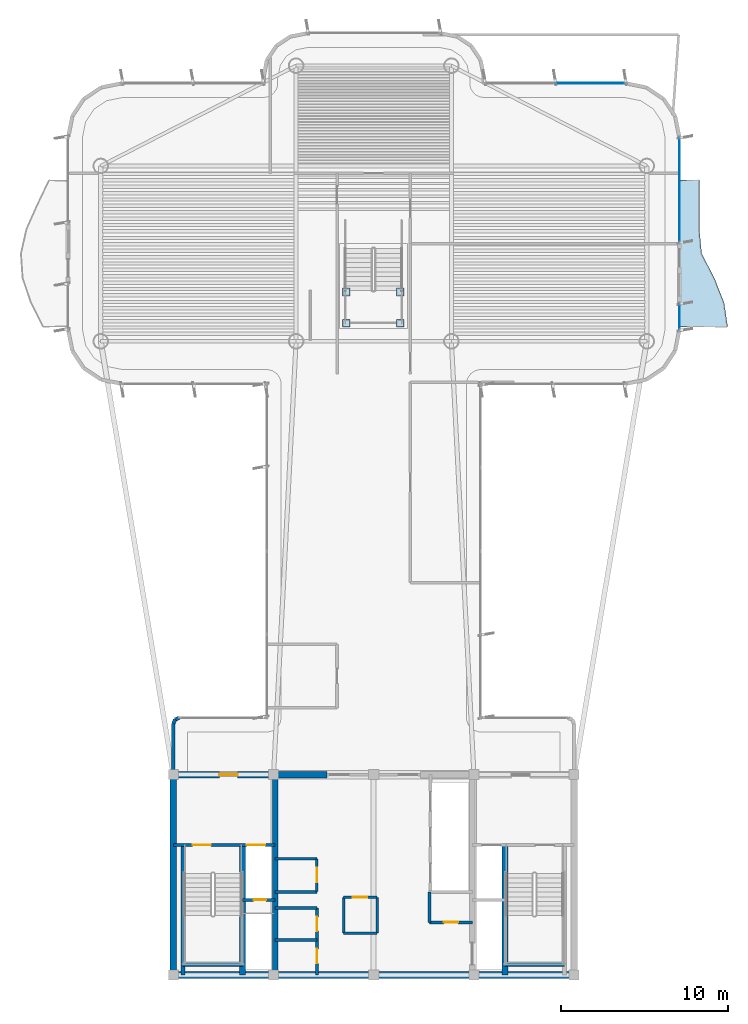
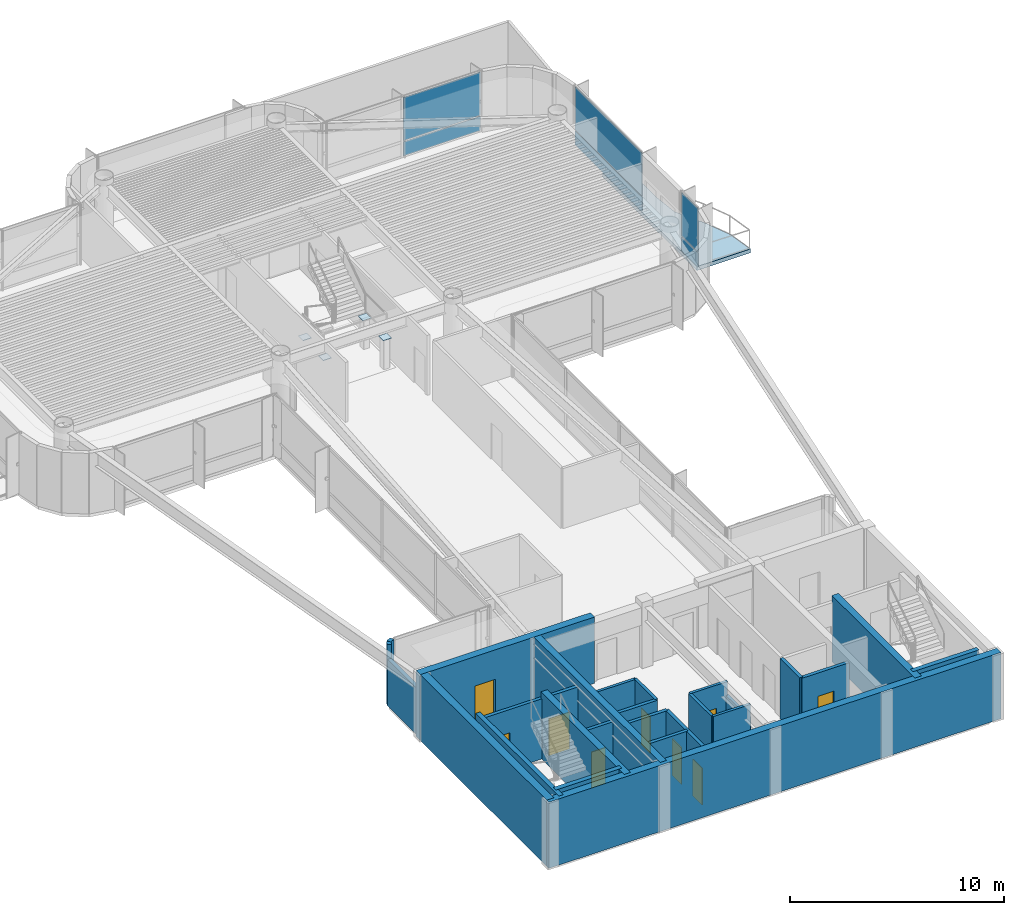
# One storey, part 10 of 17: 26 walls, 10 plates, 9 doors, 1 slab, 9 openings, 3 elements without a shape of their own.
"""IFC4 building model written with IfcOpenShell, lengths in metres."""

import ifcopenshell
import ifcopenshell.guid

model = None  # the IFC model being written
_history = None  # IfcOwnerHistory: only IFC2X3 demands one
_inside = {}  # id of a spatial element -> (the spatial element, [elements in it])
_under = {}  # id of a project, library or spatial element -> (it, [spatial elements below it])
_declared = {}  # id of a project -> (the project, [libraries it declares])
_typed = {}  # id of a type object -> (the type object, [elements of that type])
_made_of = {}  # id of a material, layer set ... -> (it, [elements and type objects made of it])


def new_model(schema):
    """Start an empty IFC model of exactly this schema.

    Asked for "IFC4X3", IfcOpenShell would pick the latest addendum, in which some entities
    have other attributes; the version numbers below select the first issue.
    IFC2X3 requires an IfcOwnerHistory on every rooted entity: one is made here for all.
    """
    global model, _history
    if schema == "IFC4X3":
        model = ifcopenshell.file(schema_version=(4, 3, 0, 0))
    else:
        model = ifcopenshell.file(schema=schema)
    _inside.clear()
    _under.clear()
    _declared.clear()
    _typed.clear()
    _made_of.clear()
    _history = None
    if model.schema == "IFC2X3":
        org = make("IfcOrganization", Name="unknown")
        user = make(
            "IfcPersonAndOrganization",
            ThePerson=make("IfcPerson", FamilyName="unknown"),
            TheOrganization=org,
        )
        app = make(
            "IfcApplication",
            ApplicationDeveloper=org,
            Version="unknown",
            ApplicationFullName="unknown",
            ApplicationIdentifier="unknown",
        )
        _history = make(
            "IfcOwnerHistory",
            OwningUser=user,
            OwningApplication=app,
            ChangeAction="ADDED",
            CreationDate=0,
        )
    return model


def make(cls, **values):
    """One entity of the class cls with the attributes given. An attribute that is None is left unset."""
    return model.create_entity(
        cls, **{name: value for name, value in values.items() if value is not None}
    )


def rooted(cls, **values):
    """An entity with a GlobalId (a new one), such as an element, a storey or a relation."""
    return make(cls, GlobalId=ifcopenshell.guid.new(), OwnerHistory=_history, **values)


def si_unit(unit_type, name, prefix=None):
    """IfcSIUnit, for example si_unit("LENGTHUNIT", "METRE", prefix="MILLI")."""
    return make("IfcSIUnit", UnitType=unit_type, Prefix=prefix, Name=name)


def assignment(units):
    """IfcUnitAssignment: the units of a project."""
    return None if units is None else make("IfcUnitAssignment", Units=units)


def point(xyz):
    """IfcCartesianPoint."""
    return None if xyz is None else make("IfcCartesianPoint", Coordinates=xyz)


def direction(xyz):
    """IfcDirection."""
    return None if xyz is None else make("IfcDirection", DirectionRatios=xyz)


def frame(location, z_axis=None, x_axis=None):
    """IfcAxis2Placement3D, a coordinate frame: its origin and axes. An axis left out is left unset."""
    return make(
        "IfcAxis2Placement3D",
        Location=point(location),
        Axis=direction(z_axis),
        RefDirection=direction(x_axis),
    )


def frame_2d(location, x_axis=None):
    """IfcAxis2Placement2D, a coordinate frame in the plane: its origin and x axis."""
    return make(
        "IfcAxis2Placement2D", Location=point(location), RefDirection=direction(x_axis)
    )


def origin():
    """The frame at (0, 0, 0) with its axes left unset."""
    return frame((0.0, 0.0, 0.0))


def origin_2d():
    """The frame at (0, 0) in the plane with its x axis left unset."""
    return frame_2d((0.0, 0.0))


def place(relative_to, where):
    """IfcLocalPlacement: puts the frame where relative to a parent placement (None: the world)."""
    return make(
        "IfcLocalPlacement", PlacementRelTo=relative_to, RelativePlacement=where
    )


def context(
    kind, dimensions, precision=None, world=None, true_north=None, identifier=None
):
    """IfcGeometricRepresentationContext, for example the 3D "Model" context."""
    return make(
        "IfcGeometricRepresentationContext",
        ContextIdentifier=identifier,
        ContextType=kind,
        CoordinateSpaceDimension=dimensions,
        Precision=precision,
        WorldCoordinateSystem=world,
        TrueNorth=true_north,
    )


def subcontext(parent, identifier, kind, view, scale=None):
    """IfcGeometricRepresentationSubContext, for example "Body" below "Model"."""
    return make(
        "IfcGeometricRepresentationSubContext",
        ContextIdentifier=identifier,
        ContextType=kind,
        ParentContext=parent,
        TargetScale=scale,
        TargetView=view,
    )


def project(units=None, contexts=None):
    """IfcProject with its units and contexts."""
    return rooted(
        "IfcProject",
        Name="project",
        RepresentationContexts=contexts,
        UnitsInContext=assignment(units),
    )


def spatial(cls, under=None, at=None, **own):
    """A site, building, storey or space (cls), placed at a placement, below another one or the project."""
    s = rooted(cls, ObjectPlacement=at, **own)
    if under is not None:
        _under.setdefault(under.id(), (under, []))[1].append(s)
    return s


def polyline(points):
    """IfcPolyline through the points."""
    return make("IfcPolyline", Points=[point(p) for p in points])


def profile(cls, at=None, kind="AREA", **sizes):
    """A parametric profile (cls). Its sizes go by their IFC names, for example OverallWidth=200.0."""
    return make(cls, ProfileType=kind, Position=at, **sizes)


def rectangle(**sizes):
    """IfcRectangleProfileDef."""
    return profile("IfcRectangleProfileDef", **sizes)


def outline(outer, holes=None, kind="AREA"):
    """IfcArbitraryClosedProfileDef: a profile drawn as a closed curve; with holes, ...WithVoids."""
    if holes is None:
        return make("IfcArbitraryClosedProfileDef", ProfileType=kind, OuterCurve=outer)
    return make(
        "IfcArbitraryProfileDefWithVoids",
        ProfileType=kind,
        OuterCurve=outer,
        InnerCurves=holes,
    )


def extrude(swept, where, along, depth):
    """IfcExtrudedAreaSolid: the profile swept, set in the frame where, extruded along a direction by depth."""
    return make(
        "IfcExtrudedAreaSolid",
        SweptArea=swept,
        Position=where,
        ExtrudedDirection=direction(along),
        Depth=depth,
    )


def shape(context_of_items, identifier, shape_type, items):
    """IfcShapeRepresentation: the items that make up one representation, for example the "Body"."""
    return make(
        "IfcShapeRepresentation",
        ContextOfItems=context_of_items,
        RepresentationIdentifier=identifier,
        RepresentationType=shape_type,
        Items=items,
    )


def source(mapping_origin, context_of_items, identifier, shape_type, items):
    """IfcRepresentationMap: a shape defined once, which mapped items show again and again."""
    return make(
        "IfcRepresentationMap",
        MappingOrigin=mapping_origin,
        MappedRepresentation=shape(context_of_items, identifier, shape_type, items),
    )


def transform(
    local_origin,
    x_axis=None,
    y_axis=None,
    z_axis=None,
    scale=None,
    scale2=None,
    scale3=None,
    uniform=True,
):
    """IfcCartesianTransformationOperator3D, or its non-uniform kind. x_axis, y_axis, z_axis: its Axis1, 2, 3."""
    if uniform:
        return make(
            "IfcCartesianTransformationOperator3D",
            Axis1=direction(x_axis),
            Axis2=direction(y_axis),
            LocalOrigin=point(local_origin),
            Scale=scale,
            Axis3=direction(z_axis),
        )
    return make(
        "IfcCartesianTransformationOperator3DnonUniform",
        Axis1=direction(x_axis),
        Axis2=direction(y_axis),
        LocalOrigin=point(local_origin),
        Scale=scale,
        Axis3=direction(z_axis),
        Scale2=scale2,
        Scale3=scale3,
    )


def mapped(mapping_source, mapping_target):
    """IfcMappedItem: shows the shape of a source again, moved by a transform."""
    return make(
        "IfcMappedItem", MappingSource=mapping_source, MappingTarget=mapping_target
    )


def material(Name=None, Category=None):
    """IfcMaterial."""
    return make("IfcMaterial", Name=Name, Category=Category)


def layer(
    of_material, thickness, ventilated=None, Name=None, Category=None, Priority=None
):
    """IfcMaterialLayer: one layer of a wall or slab, of a material (None: an air gap)."""
    return make(
        "IfcMaterialLayer",
        Material=of_material,
        LayerThickness=thickness,
        IsVentilated=ventilated,
        Name=Name,
        Category=Category,
        Priority=Priority,
    )


def layer_set(layers, Name=None):
    """IfcMaterialLayerSet."""
    return make("IfcMaterialLayerSet", MaterialLayers=layers, LayerSetName=Name)


def made_of(thing, what):
    """Note that an element or type object is made of a material, layer set ...; save() writes the relation."""
    if what is not None:
        _made_of.setdefault(what.id(), (what, []))[1].append(thing)
    return thing


def type_object(cls, material=None, **own):
    """A type object (cls), such as IfcWallType, which elements share."""
    return made_of(rooted(cls, **own), material)


def element(
    cls,
    number,
    at=None,
    inside=None,
    cuts=None,
    type_object=None,
    material=None,
    context=None,
    identifier="Body",
    shape_type=None,
    held_by="IfcProductDefinitionShape",
    body=None,
    shapes=None,
    **own,
):
    """One element of the class cls, such as IfcWall. Its Tag is "e" and its number.

    at: its placement. inside: the storey or other place that contains it. cuts: it is an
    opening in that element (IfcRelVoidsElement). A single representation is given by context,
    identifier, shape_type and body (its items); several are given by shapes. held_by: the class
    of the entity that holds the representations. save() writes the other relations.
    """
    e = rooted(cls, Tag="e%d" % number, ObjectPlacement=at, **own)
    if body is not None:
        shapes = [shape(context, identifier, shape_type, body)]
    if shapes is not None:
        e.Representation = make(held_by, Representations=shapes)
    if inside is not None:
        _inside.setdefault(inside.id(), (inside, []))[1].append(e)
    if cuts is not None:
        rooted(
            "IfcRelVoidsElement", RelatingBuildingElement=cuts, RelatedOpeningElement=e
        )
    if type_object is not None:
        _typed.setdefault(type_object.id(), (type_object, []))[1].append(e)
    return made_of(e, material)


def fill(opening, filler):
    """IfcRelFillsElement: the door or window that sits in an opening."""
    return rooted(
        "IfcRelFillsElement",
        RelatingOpeningElement=opening,
        RelatedBuildingElement=filler,
    )


def aggregate(whole, parts):
    """IfcRelAggregates: a whole, such as a stair, and the parts it consists of."""
    return rooted("IfcRelAggregates", RelatingObject=whole, RelatedObjects=parts)


def save(model, path):
    """Write the relations noted so far, then the file.

    IfcRelAggregates (storeys below a building ...), IfcRelContainedInSpatialStructure (elements
    in a storey), IfcRelDefinesByType, IfcRelAssociatesMaterial and IfcRelDeclares: one each for
    every whole, place, type object, material and project.
    """
    for whole, parts in _under.values():
        aggregate(whole, parts)
    for where, things in _inside.values():
        rooted(
            "IfcRelContainedInSpatialStructure",
            RelatedElements=things,
            RelatingStructure=where,
        )
    for kind, things in _typed.values():
        rooted("IfcRelDefinesByType", RelatedObjects=things, RelatingType=kind)
    for what, things in _made_of.values():
        rooted("IfcRelAssociatesMaterial", RelatedObjects=things, RelatingMaterial=what)
    for by, libraries in _declared.values():
        rooted("IfcRelDeclares", RelatingContext=by, RelatedDefinitions=libraries)
    model.write(path)


model = new_model("IFC4")

# Units and contexts
model_context = context("Model", 3, precision=1e-05, world=origin(), true_north=direction((0.0, 1.0)))
body_context = subcontext(model_context, "Body", "Model", "MODEL_VIEW")
ifc_project = project(units=[si_unit("LENGTHUNIT", "METRE"), si_unit("AREAUNIT", "SQUARE_METRE"), si_unit("VOLUMEUNIT", "CUBIC_METRE"), si_unit("PLANEANGLEUNIT", "RADIAN"), si_unit("MASSUNIT", "GRAM", prefix="KILO")], contexts=[model_context])

# Site, building, storey
site_placement = place(None, origin())
site = spatial("IfcSite", under=ifc_project, at=site_placement, CompositionType="ELEMENT")
building_placement = place(site_placement, origin())
building = spatial("IfcBuilding", under=site, at=building_placement, Name="Brelvock Crest Care Tower", CompositionType="ELEMENT")
storey_placement = place(building_placement, frame((0.0, 0.0, 287.280029296875)))
storey = spatial("IfcBuildingStorey", under=building, at=storey_placement, Name="L73", CompositionType="ELEMENT", Elevation=287.280029296875)

# Slab
ifc_material_1 = material(Name="Concrete N50 (50 MPa)", Category="concrete")
ifc_layer_1 = layer(ifc_material_1, 0.219970703125, Name="SLB-WB1")
ifc_layer_set_1 = layer_set([ifc_layer_1], Name="Concrete N50 (50 MPa)")
slab_type = type_object("IfcSlabType", Name="SLB-WB1", PredefinedType="FLOOR", material=ifc_layer_set_1)
slab_placement = place(storey_placement, frame((0.0, 0.0, -0.219970703125)))
element("IfcSlab", 1, at=slab_placement, inside=storey, type_object=slab_type, Name="L73 E Sinusoidal Wave Balcony Slab", PredefinedType="FLOOR", context=body_context, shape_type="SweptSolid", body=[
    extrude(outline(polyline([(54.300048828125, 44.800048828125), (57.199951171875, 44.800048828125), (56.982177734375, 46.2666015625), (56.399169921875, 47.7333984375), (55.638916015625, 49.199951171875), (55.5, 50.666748046875), (55.5, 52.13330078125), (55.5, 53.60009765625), (54.300048828125, 53.60009765625), (54.300048828125, 44.800048828125)])), origin(), (0.0, 0.0, 1.0), 0.219970703125),
])

# Plates
ifc_material_2 = material(Name="Steel Grade 350", Category="steel")
plate_type_1 = type_object("IfcPlateType", Name="PLT-EC3", PredefinedType="USERDEFINED", material=ifc_material_2)
shared_shape_1 = source(origin(), body_context, "Body", "SweptSolid", [
    extrude(rectangle(XDim=0.449951171875, YDim=0.449951171875, at=origin_2d()), origin(), (0.0, 0.0, 1.0), 0.02490234375),
])
for number, where, z_axis, x_axis, name in (
    (2, (34.360107421875, 45.02001953125, 1.685546875), (0.0, 0.0, 1.0), (1.0, 0.0, 0.0), "PLT-ST6C-L73-SW"),
    (3, (37.60009765625, 45.02001953125, 1.685546875), (0.0, 0.0, 1.0), (1.0, 0.0, 0.0), "PLT-ST6C-L73-SE"),
    (4, (34.360107421875, 46.89990234375, 1.685546875), (0.0, 0.0, 1.0), (1.0, 0.0, 0.0), "PLT-ST6C-L73-NW"),
    (5, (37.60009765625, 46.89990234375, 1.685546875), (0.0, 0.0, 1.0), (1.0, 0.0, 0.0), "PLT-ST6C-L73-NE"),
):
    element("IfcPlate", number, at=place(storey_placement, frame(where, z_axis=z_axis, x_axis=x_axis)), inside=storey, type_object=plate_type_1, Name=name, ObjectType="FLANGE_PLATE", PredefinedType="USERDEFINED", context=body_context, shape_type="MappedRepresentation", body=[
        mapped(shared_shape_1, transform((0.0, 0.0, 0.0), x_axis=(1.0, 0.0, 0.0), y_axis=(0.0, 1.0, 0.0), z_axis=(0.0, 0.0, 1.0), scale=1.0)),
    ])

# Curtain wall, plates
ifc_material_3 = material(Name="Dark Glass Double Glazed Low-E", Category="glass")
ifc_layer_2 = layer(ifc_material_3, 0.2548828125, Name="CWS-6")
ifc_layer_set_2 = layer_set([ifc_layer_2], Name="Dark Glass Double Glazed Low-E")
curtain_wall_type = type_object("IfcCurtainWallType", Name="CWS-6", PredefinedType="NOTDEFINED", material=ifc_layer_set_2)
curtain_wall_1_placement = place(storey_placement, origin())
curtain_wall_1 = element("IfcCurtainWall", 6, at=curtain_wall_1_placement, inside=storey, type_object=curtain_wall_type, Name="L73 Curtain Wall E34", PredefinedType="NOTDEFINED")
ifc_material_4 = material(Name="Dark Glass Shadow-Box Spandrel", Category="glass")
ifc_layer_3 = layer(ifc_material_4, 0.048095703125, Name="CWP-SP1")
ifc_layer_set_3 = layer_set([ifc_layer_3], Name="Dark Glass Shadow-Box Spandrel")
plate_type_2 = type_object("IfcPlateType", Name="CWP-SP1", PredefinedType="SHEET", material=ifc_layer_set_3)
shared_shape_2 = source(origin(), body_context, "Body", "SweptSolid", [
    extrude(rectangle(XDim=4.152587890625, YDim=0.035888671875, at=origin_2d()), origin(), (0.0, 0.0, 1.0), 0.802490234375),
])
plate_1_placement = place(storey_placement, frame((48.958740234375, 59.39990234375, 0.06494140625), z_axis=(0.0, 0.0, 1.0), x_axis=(1.0, 0.0, 0.0)))
plate_1 = element("IfcPlate", 7, at=plate_1_placement, type_object=plate_type_2, Name="CW-6 panel 2.1", PredefinedType="SHEET", context=body_context, shape_type="MappedRepresentation", body=[
    mapped(shared_shape_2, transform((0.0, 0.0, 0.0), x_axis=(1.0, 0.0, 0.0), y_axis=(0.0, 1.0, 0.0), z_axis=(0.0, 0.0, 1.0), scale=1.0)),
])
ifc_layer_4 = layer(ifc_material_3, 0.0380859375, Name="CWP-V2")
ifc_layer_set_4 = layer_set([ifc_layer_4], Name="Dark Glass Double Glazed Low-E")
plate_type_3 = type_object("IfcPlateType", Name="CWP-V2", PredefinedType="CURTAIN_PANEL", material=ifc_layer_set_4)
shared_shape_3 = source(origin(), body_context, "Body", "SweptSolid", [
    extrude(rectangle(XDim=4.152587890625, YDim=0.035888671875, at=origin_2d()), origin(), (0.0, 0.0, 1.0), 2.46240234375),
])
plate_2_placement = place(storey_placement, frame((48.958740234375, 59.39990234375, 0.9326171875), z_axis=(0.0, 0.0, 1.0), x_axis=(1.0, 0.0, 0.0)))
plate_2 = element("IfcPlate", 8, at=plate_2_placement, type_object=plate_type_3, Name="CW-6 panel 2.2", PredefinedType="CURTAIN_PANEL", context=body_context, shape_type="MappedRepresentation", body=[
    mapped(shared_shape_3, transform((0.0, 0.0, 0.0), x_axis=(1.0, 0.0, 0.0), y_axis=(0.0, 1.0, 0.0), z_axis=(0.0, 0.0, 1.0), scale=1.0)),
])
aggregate(curtain_wall_1, [plate_1, plate_2])

curtain_wall_2_placement = place(storey_placement, origin())
curtain_wall_2 = element("IfcCurtainWall", 9, at=curtain_wall_2_placement, inside=storey, type_object=curtain_wall_type, Name="L73 Curtain Wall E39A", PredefinedType="NOTDEFINED")
shared_shape_4 = source(origin(), body_context, "Body", "SweptSolid", [
    extrude(rectangle(XDim=6.219970703125, YDim=0.035888671875, at=origin_2d()), origin(), (0.0, 0.0, 1.0), 0.802490234375),
])
plate_3_placement = place(storey_placement, frame((54.300048828125, 53.02490234375, 0.06494140625), z_axis=(0.0, 0.0, 1.0), x_axis=(0.0, -1.0, 0.0)))
plate_3 = element("IfcPlate", 10, at=plate_3_placement, type_object=plate_type_2, Name="CW-6 panel 1.1", PredefinedType="SHEET", context=body_context, shape_type="MappedRepresentation", body=[
    mapped(shared_shape_4, transform((0.0, 0.0, 0.0), x_axis=(1.0, 0.0, 0.0), y_axis=(0.0, 1.0, 0.0), z_axis=(0.0, 0.0, 1.0), scale=1.0)),
])
shared_shape_5 = source(origin(), body_context, "Body", "SweptSolid", [
    extrude(rectangle(XDim=6.219970703125, YDim=0.035888671875, at=origin_2d()), origin(), (0.0, 0.0, 1.0), 2.46240234375),
])
plate_4_placement = place(storey_placement, frame((54.300048828125, 53.02490234375, 0.9326171875), z_axis=(0.0, 0.0, 1.0), x_axis=(0.0, -1.0, 0.0)))
plate_4 = element("IfcPlate", 11, at=plate_4_placement, type_object=plate_type_3, Name="CW-6 panel 1.2", PredefinedType="CURTAIN_PANEL", context=body_context, shape_type="MappedRepresentation", body=[
    mapped(shared_shape_5, transform((0.0, 0.0, 0.0), x_axis=(1.0, 0.0, 0.0), y_axis=(0.0, 1.0, 0.0), z_axis=(0.0, 0.0, 1.0), scale=1.0)),
])
aggregate(curtain_wall_2, [plate_3, plate_4])

curtain_wall_3_placement = place(storey_placement, origin())
curtain_wall_3 = element("IfcCurtainWall", 12, at=curtain_wall_3_placement, inside=storey, type_object=curtain_wall_type, Name="L73 Curtain Wall E39B", PredefinedType="NOTDEFINED")
shared_shape_6 = source(origin(), body_context, "Body", "SweptSolid", [
    extrude(rectangle(XDim=1.52001953125, YDim=0.035888671875, at=origin_2d()), origin(), (0.0, 0.0, 1.0), 0.802490234375),
])
plate_5_placement = place(storey_placement, frame((54.300048828125, 45.425048828125, 0.06494140625), z_axis=(0.0, 0.0, 1.0), x_axis=(0.0, -1.0, 0.0)))
plate_5 = element("IfcPlate", 13, at=plate_5_placement, type_object=plate_type_2, Name="CW-6 panel 1.1", PredefinedType="SHEET", context=body_context, shape_type="MappedRepresentation", body=[
    mapped(shared_shape_6, transform((0.0, 0.0, 0.0), x_axis=(1.0, 0.0, 0.0), y_axis=(0.0, 1.0, 0.0), z_axis=(0.0, 0.0, 1.0), scale=1.0)),
])
shared_shape_7 = source(origin(), body_context, "Body", "SweptSolid", [
    extrude(rectangle(XDim=1.52001953125, YDim=0.035888671875, at=origin_2d()), origin(), (0.0, 0.0, 1.0), 2.46240234375),
])
plate_6_placement = place(storey_placement, frame((54.300048828125, 45.425048828125, 0.9326171875), z_axis=(0.0, 0.0, 1.0), x_axis=(0.0, -1.0, 0.0)))
plate_6 = element("IfcPlate", 14, at=plate_6_placement, type_object=plate_type_3, Name="CW-6 panel 1.2", PredefinedType="CURTAIN_PANEL", context=body_context, shape_type="MappedRepresentation", body=[
    mapped(shared_shape_7, transform((0.0, 0.0, 0.0), x_axis=(1.0, 0.0, 0.0), y_axis=(0.0, 1.0, 0.0), z_axis=(0.0, 0.0, 1.0), scale=1.0)),
])
aggregate(curtain_wall_3, [plate_5, plate_6])

# Walls
ifc_material_5 = material(Name="Concrete S65 (65 MPa)", Category="concrete")
ifc_layer_5 = layer(ifc_material_5, 0.39990234375, Name="WL-CS4")
ifc_layer_set_5 = layer_set([ifc_layer_5], Name="Concrete S65 (65 MPa)")
wall_type_1 = type_object("IfcWallType", Name="WL-CS4", PredefinedType="SHEAR", material=ifc_layer_set_5)
wall_1_placement = place(storey_placement, frame((48.199951171875, 6.0, 0.0), z_axis=(0.0, 0.0, 1.0), x_axis=(-1.0, 0.0, 0.0)))
element("IfcWall", 15, at=wall_1_placement, inside=storey, type_object=wall_type_1, Name="L73 Core South Shear Wall", PredefinedType="SHEAR", context=body_context, shape_type="SweptSolid", body=[
    extrude(rectangle(XDim=24.39990234375, YDim=0.39990234375, at=frame_2d((12.199951171875, 0.0))), origin(), (0.0, 0.0, 1.0), 3.780029296875),
])
wall_2_placement = place(storey_placement, frame((24.0, 6.0, 0.0), z_axis=(0.0, 0.0, 1.0), x_axis=(0.0, 1.0, 0.0)))
element("IfcWall", 16, at=wall_2_placement, inside=storey, type_object=wall_type_1, Name="L73 Core West Shear Wall", PredefinedType="SHEAR", context=body_context, shape_type="SweptSolid", body=[
    extrude(rectangle(XDim=12.0, YDim=0.39990234375, at=frame_2d((6.0, 0.0))), origin(), (0.0, 0.0, 1.0), 3.780029296875),
])

# Wall, opening, door
wall_3_placement = place(storey_placement, frame((23.800048828125, 18.0, 0.0), z_axis=(0.0, 0.0, 1.0), x_axis=(1.0, 0.0, 0.0)))
wall_3 = element("IfcWall", 17, at=wall_3_placement, inside=storey, type_object=wall_type_1, Name="L73 Core North-West Shear Wall", PredefinedType="SHEAR", context=body_context, shape_type="SweptSolid", body=[
    extrude(rectangle(XDim=9.39990234375, YDim=0.39990234375, at=frame_2d((4.699951171875, 0.0))), origin(), (0.0, 0.0, 1.0), 3.780029296875),
])
opening_1_placement = place(wall_3_placement, frame((2.949951171875, 0.0, 0.0)))
opening_1 = element("IfcOpeningElement", 18, at=opening_1_placement, cuts=wall_3, Name="Opening FD-1", PredefinedType="OPENING", context=body_context, shape_type="SweptSolid", body=[
    extrude(rectangle(XDim=1.10009765625, YDim=2.10009765625, at=origin_2d()), frame((0.550048828125, 0.2099609375, 1.050048828125), z_axis=(0.0, -1.0, 0.0), x_axis=(1.0, 0.0, 0.0)), (0.0, 0.0, 1.0), 0.419921875),
])
door_type_1 = type_object("IfcDoorType", Name="DR-FFL1", OperationType="NOTDEFINED", PredefinedType="DOOR", material=ifc_material_2)
shared_shape_8 = source(origin(), body_context, "Body", "SweptSolid", [
    extrude(rectangle(XDim=1.10009765625, YDim=2.10009765625, at=origin_2d()), frame((0.550048828125, 0.02490234375, 1.050048828125), z_axis=(0.0, -1.0, 0.0), x_axis=(1.0, 0.0, 0.0)), (0.0, 0.0, 1.0), 0.050048828125),
])
door_1_placement = place(opening_1_placement, origin())
door_1 = element("IfcDoor", 19, at=door_1_placement, inside=storey, type_object=door_type_1, Name="L73 Firefighting Lobby FFL-1 Exit Door", OperationType="SINGLE_SWING_LEFT", OverallHeight=2.10009765625, OverallWidth=1.10009765625, PredefinedType="DOOR", context=body_context, shape_type="MappedRepresentation", body=[
    mapped(shared_shape_8, transform((0.0, 0.0, 0.0), x_axis=(1.0, 0.0, 0.0), y_axis=(0.0, 1.0, 0.0), z_axis=(0.0, 0.0, 1.0), scale=1.0)),
])
fill(opening_1, door_1)

# Walls
ifc_material_6 = material(Name="Concrete S80 (80 MPa)", Category="concrete")
ifc_layer_6 = layer(ifc_material_6, 0.35009765625, Name="WL-CS5")
ifc_layer_set_6 = layer_set([ifc_layer_6], Name="Concrete S80 (80 MPa)")
wall_type_2 = type_object("IfcWallType", Name="WL-CS5", PredefinedType="SHEAR", material=ifc_layer_set_6)
wall_4_placement = place(storey_placement, frame((30.10009765625, 6.0, 0.0), z_axis=(0.0, 0.0, 1.0), x_axis=(0.0, 1.0, 0.0)))
element("IfcWall", 20, at=wall_4_placement, inside=storey, type_object=wall_type_2, Name="L73 Core Internal Web Wall West", PredefinedType="SHEAR", context=body_context, shape_type="SweptSolid", body=[
    extrude(rectangle(XDim=12.0, YDim=0.35009765625, at=frame_2d((6.0, 0.0))), origin(), (0.0, 0.0, 1.0), 3.780029296875),
])
for number, where, z_axis, x_axis, name in (
    (21, (28.14990234375, 6.0, 0.0), (0.0, 0.0, 1.0), (0.0, 1.0, 0.0), "L73 Core Stair ST-1 East Shear Wall"),
    (22, (43.85009765625, 6.0, 0.0), (0.0, 0.0, 1.0), (0.0, 1.0, 0.0), "L73 Core Stair ST-2 West Shear Wall"),
):
    element("IfcWall", number, at=place(storey_placement, frame(where, z_axis=z_axis, x_axis=x_axis)), inside=storey, type_object=wall_type_2, Name=name, PredefinedType="SHEAR", context=body_context, shape_type="SweptSolid", body=[
        extrude(rectangle(XDim=7.780029296875, YDim=0.35009765625, at=frame_2d((3.89013671875, 0.0))), origin(), (0.0, 0.0, 1.0), 3.780029296875),
    ])
ifc_layer_7 = layer(ifc_material_6, 0.25, Name="WL-CS6")
ifc_layer_set_7 = layer_set([ifc_layer_7], Name="Concrete S80 (80 MPa)")
wall_type_3 = type_object("IfcWallType", Name="WL-CS6", PredefinedType="SHEAR", material=ifc_layer_set_7)
wall_5_placement = place(storey_placement, frame((24.580078125, 6.0, 0.0), z_axis=(0.0, 0.0, 1.0), x_axis=(0.0, 1.0, 0.0)))
element("IfcWall", 23, at=wall_5_placement, inside=storey, type_object=wall_type_3, Name="L73 Core Stair ST-1 West Shear Wall", PredefinedType="SHEAR", context=body_context, shape_type="SweptSolid", body=[
    extrude(rectangle(XDim=7.780029296875, YDim=0.25, at=frame_2d((3.89013671875, 0.0))), origin(), (0.0, 0.0, 1.0), 3.780029296875),
])
for number, where, z_axis, x_axis, name in (
    (24, (24.580078125, 6.6201171875, 0.0), (0.0, 0.0, 1.0), (1.0, 0.0, 0.0), "L73 Core Stair ST-1 South Shear Wall"),
    (25, (43.85009765625, 6.6201171875, 0.0), (0.0, 0.0, 1.0), (1.0, 0.0, 0.0), "L73 Core Stair ST-2 South Shear Wall"),
):
    element("IfcWall", number, at=place(storey_placement, frame(where, z_axis=z_axis, x_axis=x_axis)), inside=storey, type_object=wall_type_3, Name=name, PredefinedType="SHEAR", context=body_context, shape_type="SweptSolid", body=[
        extrude(rectangle(XDim=3.56982421875, YDim=0.25, at=frame_2d((1.784912109375, 0.0))), origin(), (0.0, 0.0, 1.0), 3.780029296875),
    ])
ifc_material_7 = material(Name="Precast concrete N40 (40 MPa)", Category="concrete")
ifc_layer_8 = layer(ifc_material_7, 0.215087890625, Name="WL-EX2")
ifc_layer_set_8 = layer_set([ifc_layer_8], Name="Precast concrete N40 (40 MPa)")
wall_type_4 = type_object("IfcWallType", Name="WL-EX2", PredefinedType="SOLIDWALL", material=ifc_layer_set_8)
wall_6_placement = place(storey_placement, frame((24.0, 18.280029296875, 0.0), z_axis=(0.0, 0.0, 1.0), x_axis=(0.0, 1.0, 0.0)))
element("IfcWall", 26, at=wall_6_placement, inside=storey, type_object=wall_type_4, Name="L73 Rounded Corner Wall 07", PredefinedType="SOLIDWALL", context=body_context, shape_type="SweptSolid", body=[
    extrude(rectangle(XDim=2.77001953125, YDim=0.215087890625, at=frame_2d((1.385009765625, 0.0))), origin(), (0.0, 0.0, 1.0), 2.64794921875),
])
wall_7_placement = place(storey_placement, frame((24.0, 21.050048828125, 0.0), z_axis=(0.0, 0.0, 1.0), x_axis=(0.382673670509, 0.923883575944, 0.0)))
element("IfcWall", 27, at=wall_7_placement, inside=storey, type_object=wall_type_4, Name="L73 Rounded Corner Wall 08", PredefinedType="SOLIDWALL", context=body_context, shape_type="SweptSolid", body=[
    extrude(rectangle(XDim=0.26806640625, YDim=0.215087890625, at=frame_2d((0.134033203125, 0.0))), origin(), (0.0, 0.0, 1.0), 3.4599609375),
])
wall_8_placement = place(storey_placement, frame((24.1025390625, 21.297607421875, 0.0), z_axis=(0.0, 0.0, 1.0), x_axis=(0.924205486139, 0.381895560841, 0.0)))
element("IfcWall", 28, at=wall_8_placement, inside=storey, type_object=wall_type_4, Name="L73 Rounded Corner Wall 09", PredefinedType="SOLIDWALL", context=body_context, shape_type="SweptSolid", body=[
    extrude(rectangle(XDim=0.267822265625, YDim=0.215087890625, at=frame_2d((0.1337890625, 0.0))), origin(), (0.0, 0.0, 1.0), 3.4599609375),
])
ifc_material_8 = material(Name="Masonry Blockwork Acoustic Partition", Category="masonry")
ifc_layer_9 = layer(ifc_material_8, 0.14990234375, Name="WL-INT1")
ifc_layer_set_9 = layer_set([ifc_layer_9], Name="Masonry Blockwork Acoustic Partition")
wall_type_5 = type_object("IfcWallType", Name="WL-INT1", PredefinedType="PARTITIONING", material=ifc_layer_set_9)
wall_9_placement = place(storey_placement, frame((30.10009765625, 12.949951171875, 0.0), z_axis=(0.0, 0.0, 1.0), x_axis=(1.0, 0.0, 0.0)))
element("IfcWall", 29, at=wall_9_placement, inside=storey, type_object=wall_type_5, Name="L73 Interior Wall WL-CRCL-N2-L73", PredefinedType="PARTITIONING", context=body_context, shape_type="SweptSolid", body=[
    extrude(rectangle(XDim=2.5, YDim=0.14990234375, at=frame_2d((1.25, 0.0))), origin(), (0.0, 0.0, 1.0), 3.429931640625),
])

# Wall, opening, door
wall_10_placement = place(storey_placement, frame((32.60009765625, 11.0, 0.0), z_axis=(0.0, 0.0, 1.0), x_axis=(0.0, 1.0, 0.0)))
wall_10 = element("IfcWall", 30, at=wall_10_placement, inside=storey, type_object=wall_type_5, Name="L73 Interior Wall WL-CRCL-E-L73", PredefinedType="PARTITIONING", context=body_context, shape_type="SweptSolid", body=[
    extrude(rectangle(XDim=1.949951171875, YDim=0.14990234375, at=frame_2d((0.97509765625, 0.0))), origin(), (0.0, 0.0, 1.0), 3.429931640625),
])
opening_2_placement = place(wall_10_placement, frame((0.550048828125, 0.0, 0.0)))
opening_2 = element("IfcOpeningElement", 31, at=opening_2_placement, cuts=wall_10, Name="Opening ID-1", PredefinedType="OPENING", context=body_context, shape_type="SweptSolid", body=[
    extrude(rectangle(XDim=0.860107421875, YDim=2.10009765625, at=origin_2d()), frame((0.43017578125, 0.0849609375, 1.050048828125), z_axis=(0.0, -1.0, 0.0), x_axis=(1.0, 0.0, 0.0)), (0.0, 0.0, 1.0), 0.169921875),
])
ifc_material_9 = material(Name="Engineered Hardwood Timber", Category="wood")
door_type_2 = type_object("IfcDoorType", Name="DR-INT1", OperationType="NOTDEFINED", PredefinedType="DOOR", material=ifc_material_9)
shared_shape_9 = source(origin(), body_context, "Body", "SweptSolid", [
    extrude(rectangle(XDim=0.860107421875, YDim=2.10009765625, at=origin_2d()), frame((0.43017578125, 0.02490234375, 1.050048828125), z_axis=(0.0, -1.0, 0.0), x_axis=(1.0, 0.0, 0.0)), (0.0, 0.0, 1.0), 0.050048828125),
])
door_2_placement = place(opening_2_placement, origin())
door_2 = element("IfcDoor", 32, at=door_2_placement, inside=storey, type_object=door_type_2, Name="DR-CRCL1-L73", OperationType="SINGLE_SWING_LEFT", OverallHeight=2.10009765625, OverallWidth=0.860107421875, PredefinedType="DOOR", context=body_context, shape_type="MappedRepresentation", body=[
    mapped(shared_shape_9, transform((0.0, 0.0, 0.0), x_axis=(1.0, 0.0, 0.0), y_axis=(0.0, 1.0, 0.0), z_axis=(0.0, 0.0, 1.0), scale=1.0)),
])
fill(opening_2, door_2)

# Walls
wall_11_placement = place(storey_placement, frame((34.199951171875, 8.5, 0.0), z_axis=(0.0, 0.0, 1.0), x_axis=(1.0, 0.0, 0.0)))
element("IfcWall", 33, at=wall_11_placement, inside=storey, type_object=wall_type_5, Name="L73 Interior Wall WL-CRCM-S-L73", PredefinedType="PARTITIONING", context=body_context, shape_type="SweptSolid", body=[
    extrude(rectangle(XDim=2.0, YDim=0.14990234375, at=frame_2d((1.0, 0.0))), origin(), (0.0, 0.0, 1.0), 3.429931640625),
])
wall_12_placement = place(storey_placement, frame((34.199951171875, 8.5, 0.0), z_axis=(0.0, 0.0, 1.0), x_axis=(0.0, 1.0, 0.0)))
element("IfcWall", 34, at=wall_12_placement, inside=storey, type_object=wall_type_5, Name="L73 Interior Wall WL-CRCM-W-L73", PredefinedType="PARTITIONING", context=body_context, shape_type="SweptSolid", body=[
    extrude(rectangle(XDim=2.14990234375, YDim=0.14990234375, at=frame_2d((1.074951171875, 0.0))), origin(), (0.0, 0.0, 1.0), 3.429931640625),
])
wall_13_placement = place(storey_placement, frame((36.199951171875, 8.5, 0.0), z_axis=(0.0, 0.0, 1.0), x_axis=(0.0, 1.0, 0.0)))
element("IfcWall", 35, at=wall_13_placement, inside=storey, type_object=wall_type_5, Name="L73 Interior Wall WL-CRCM-E-L73", PredefinedType="PARTITIONING", context=body_context, shape_type="SweptSolid", body=[
    extrude(rectangle(XDim=2.14990234375, YDim=0.14990234375, at=frame_2d((1.074951171875, 0.0))), origin(), (0.0, 0.0, 1.0), 2.64501953125),
])

# Wall, opening, door
wall_14_placement = place(storey_placement, frame((34.199951171875, 10.64990234375, 0.0), z_axis=(0.0, 0.0, 1.0), x_axis=(1.0, 0.0, 0.0)))
wall_14 = element("IfcWall", 36, at=wall_14_placement, inside=storey, type_object=wall_type_5, Name="L73 Interior Wall WL-CRCM-N-L73", PredefinedType="PARTITIONING", context=body_context, shape_type="SweptSolid", body=[
    extrude(rectangle(XDim=2.0, YDim=0.14990234375, at=frame_2d((1.0, 0.0))), origin(), (0.0, 0.0, 1.0), 3.429931640625),
])
opening_3_placement = place(wall_14_placement, frame((0.550048828125, 0.0, 0.0)))
opening_3 = element("IfcOpeningElement", 37, at=opening_3_placement, cuts=wall_14, Name="Opening ID-1", PredefinedType="OPENING", context=body_context, shape_type="SweptSolid", body=[
    extrude(rectangle(XDim=0.860107421875, YDim=2.10009765625, at=origin_2d()), frame((0.43017578125, 0.0849609375, 1.050048828125), z_axis=(0.0, -1.0, 0.0), x_axis=(1.0, 0.0, 0.0)), (0.0, 0.0, 1.0), 0.169921875),
])
door_3_placement = place(opening_3_placement, origin())
door_3 = element("IfcDoor", 38, at=door_3_placement, inside=storey, type_object=door_type_2, Name="DR-CRCM1-L73", OperationType="SINGLE_SWING_LEFT", OverallHeight=2.10009765625, OverallWidth=0.860107421875, PredefinedType="DOOR", context=body_context, shape_type="MappedRepresentation", body=[
    mapped(shared_shape_9, transform((0.0, 0.0, 0.0), x_axis=(1.0, 0.0, 0.0), y_axis=(0.0, 1.0, 0.0), z_axis=(0.0, 0.0, 1.0), scale=1.0)),
])
fill(opening_3, door_3)

# Walls
ifc_layer_10 = layer(ifc_material_8, 0.179931640625, Name="WL-SHF1")
ifc_layer_set_10 = layer_set([ifc_layer_10], Name="Masonry Blockwork Acoustic Partition")
wall_type_6 = type_object("IfcWallType", Name="WL-SHF1", PredefinedType="PARTITIONING", material=ifc_layer_set_10)
for number, where, z_axis, x_axis, name in (
    (39, (30.10009765625, 10.97998046875, 0.0), (0.0, 0.0, 1.0), (1.0, 0.0, 0.0), "L73 Interior Wall WL-CSBW-N-L73"),
    (40, (30.10009765625, 8.10009765625, 0.0), (0.0, 0.0, 1.0), (1.0, 0.0, 0.0), "L73 Interior Wall WL-CSBW-SP-L73"),
    (41, (30.10009765625, 10.02001953125, 0.0), (0.0, 0.0, 1.0), (1.0, 0.0, 0.0), "L73 Interior Wall WL-CSBW-N2-L73"),
):
    element("IfcWall", number, at=place(storey_placement, frame(where, z_axis=z_axis, x_axis=x_axis)), inside=storey, type_object=wall_type_6, Name=name, PredefinedType="PARTITIONING", context=body_context, shape_type="SweptSolid", body=[
        extrude(rectangle(XDim=2.5, YDim=0.179931640625, at=frame_2d((1.25, 0.0))), origin(), (0.0, 0.0, 1.0), 3.429931640625),
    ])

# Wall, openings, doors
wall_15_placement = place(storey_placement, frame((32.60009765625, 6.0, 0.0), z_axis=(0.0, 0.0, 1.0), x_axis=(0.0, 1.0, 0.0)))
wall_15 = element("IfcWall", 42, at=wall_15_placement, inside=storey, type_object=wall_type_6, Name="L73 Interior Wall WL-CSBW-E-L73", PredefinedType="PARTITIONING", context=body_context, shape_type="SweptSolid", body=[
    extrude(rectangle(XDim=4.02001953125, YDim=0.179931640625, at=frame_2d((2.010009765625, 0.0))), origin(), (0.0, 0.0, 1.0), 3.429931640625),
])
opening_4_placement = place(wall_15_placement, frame((0.699951171875, 0.0, 0.0)))
opening_4 = element("IfcOpeningElement", 43, at=opening_4_placement, cuts=wall_15, Name="Opening ID-1", PredefinedType="OPENING", context=body_context, shape_type="SweptSolid", body=[
    extrude(rectangle(XDim=0.860107421875, YDim=2.10009765625, at=origin_2d()), frame((0.43017578125, 0.10009765625, 1.050048828125), z_axis=(0.0, -1.0, 0.0), x_axis=(1.0, 0.0, 0.0)), (0.0, 0.0, 1.0), 0.199951171875),
])
opening_5_placement = place(wall_15_placement, frame((2.6201171875, 0.0, 0.0)))
opening_5 = element("IfcOpeningElement", 44, at=opening_5_placement, cuts=wall_15, Name="Opening ID-1", PredefinedType="OPENING", context=body_context, shape_type="SweptSolid", body=[
    extrude(rectangle(XDim=0.860107421875, YDim=2.10009765625, at=origin_2d()), frame((0.43017578125, 0.10009765625, 1.050048828125), z_axis=(0.0, -1.0, 0.0), x_axis=(1.0, 0.0, 0.0)), (0.0, 0.0, 1.0), 0.199951171875),
])
door_4_placement = place(opening_4_placement, origin())
door_4 = element("IfcDoor", 45, at=door_4_placement, inside=storey, type_object=door_type_2, Name="DR-CSBW1-L73", OperationType="SINGLE_SWING_LEFT", OverallHeight=2.10009765625, OverallWidth=0.860107421875, PredefinedType="DOOR", context=body_context, shape_type="MappedRepresentation", body=[
    mapped(shared_shape_9, transform((0.0, 0.0, 0.0), x_axis=(1.0, 0.0, 0.0), y_axis=(0.0, 1.0, 0.0), z_axis=(0.0, 0.0, 1.0), scale=1.0)),
])
fill(opening_4, door_4)
door_5_placement = place(opening_5_placement, origin())
door_5 = element("IfcDoor", 46, at=door_5_placement, inside=storey, type_object=door_type_2, Name="DR-CSBW2-L73", OperationType="SINGLE_SWING_RIGHT", OverallHeight=2.10009765625, OverallWidth=0.860107421875, PredefinedType="DOOR", context=body_context, shape_type="MappedRepresentation", body=[
    mapped(shared_shape_9, transform((0.0, 0.0, 0.0), x_axis=(1.0, 0.0, 0.0), y_axis=(0.0, 1.0, 0.0), z_axis=(0.0, 0.0, 1.0), scale=1.0)),
])
fill(opening_5, door_5)

# Wall
wall_16_placement = place(storey_placement, frame((39.35009765625, 9.14990234375, 0.0), z_axis=(0.0, 0.0, 1.0), x_axis=(0.0, 1.0, 0.0)))
element("IfcWall", 47, at=wall_16_placement, inside=storey, type_object=wall_type_6, Name="L73 Interior Wall WL-CSBE-W-L73", PredefinedType="PARTITIONING", context=body_context, shape_type="SweptSolid", body=[
    extrude(rectangle(XDim=1.830078125, YDim=0.179931640625, at=frame_2d((0.9150390625, 0.0))), origin(), (0.0, 0.0, 1.0), 3.429931640625),
])

# Wall, opening, door
wall_17_placement = place(storey_placement, frame((39.35009765625, 9.14990234375, 0.0), z_axis=(0.0, 0.0, 1.0), x_axis=(1.0, 0.0, 0.0)))
wall_17 = element("IfcWall", 48, at=wall_17_placement, inside=storey, type_object=wall_type_6, Name="L73 Interior Wall WL-CSBE-S-L73", PredefinedType="PARTITIONING", context=body_context, shape_type="SweptSolid", body=[
    extrude(rectangle(XDim=2.5498046875, YDim=0.179931640625, at=frame_2d((1.27490234375, 0.0))), origin(), (0.0, 0.0, 1.0), 3.429931640625),
])
opening_6_placement = place(wall_17_placement, frame((0.85009765625, 0.0, 0.0)))
opening_6 = element("IfcOpeningElement", 49, at=opening_6_placement, cuts=wall_17, Name="Opening ID-1", PredefinedType="OPENING", context=body_context, shape_type="SweptSolid", body=[
    extrude(rectangle(XDim=0.860107421875, YDim=2.10009765625, at=origin_2d()), frame((0.43017578125, 0.10009765625, 1.050048828125), z_axis=(0.0, -1.0, 0.0), x_axis=(1.0, 0.0, 0.0)), (0.0, 0.0, 1.0), 0.199951171875),
])
door_6_placement = place(opening_6_placement, origin())
door_6 = element("IfcDoor", 50, at=door_6_placement, inside=storey, type_object=door_type_2, Name="DR-CSBE-L73", OperationType="SINGLE_SWING_LEFT", OverallHeight=2.10009765625, OverallWidth=0.860107421875, PredefinedType="DOOR", context=body_context, shape_type="MappedRepresentation", body=[
    mapped(shared_shape_9, transform((0.0, 0.0, 0.0), x_axis=(1.0, 0.0, 0.0), y_axis=(0.0, 1.0, 0.0), z_axis=(0.0, 0.0, 1.0), scale=1.0)),
])
fill(opening_6, door_6)

# Wall, openings, doors
wall_18_placement = place(storey_placement, frame((24.0, 13.780029296875, 0.0), z_axis=(0.0, 0.0, 1.0), x_axis=(1.0, 0.0, 0.0)))
wall_18 = element("IfcWall", 51, at=wall_18_placement, inside=storey, type_object=wall_type_6, Name="L73 Interior Wall WL-ST1-N-L73", PredefinedType="PARTITIONING", context=body_context, shape_type="SweptSolid", body=[
    extrude(rectangle(XDim=6.10009765625, YDim=0.179931640625, at=frame_2d((3.050048828125, 0.0))), origin(), (0.0, 0.0, 1.0), 3.429931640625),
])
opening_7_placement = place(wall_18_placement, frame((1.14990234375, 0.0, 0.0)))
opening_7 = element("IfcOpeningElement", 52, at=opening_7_placement, cuts=wall_18, Name="Opening SD-1", PredefinedType="OPENING", context=body_context, shape_type="SweptSolid", body=[
    extrude(rectangle(XDim=1.10009765625, YDim=2.10009765625, at=origin_2d()), frame((0.550048828125, 0.10009765625, 1.050048828125), z_axis=(0.0, -1.0, 0.0), x_axis=(1.0, 0.0, 0.0)), (0.0, 0.0, 1.0), 0.199951171875),
])
opening_8_placement = place(wall_18_placement, frame((4.39990234375, 0.0, 0.0)))
opening_8 = element("IfcOpeningElement", 53, at=opening_8_placement, cuts=wall_18, Name="Opening LD", PredefinedType="OPENING", context=body_context, shape_type="SweptSolid", body=[
    extrude(rectangle(XDim=1.10009765625, YDim=2.10009765625, at=origin_2d()), frame((0.550048828125, 0.10009765625, 1.050048828125), z_axis=(0.0, -1.0, 0.0), x_axis=(1.0, 0.0, 0.0)), (0.0, 0.0, 1.0), 0.199951171875),
])
door_type_3 = type_object("IfcDoorType", Name="DR-ST1", OperationType="NOTDEFINED", PredefinedType="DOOR", material=ifc_material_2)
shared_shape_10 = source(origin(), body_context, "Body", "SweptSolid", [
    extrude(rectangle(XDim=1.10009765625, YDim=2.10009765625, at=origin_2d()), frame((0.550048828125, 0.02490234375, 1.050048828125), z_axis=(0.0, -1.0, 0.0), x_axis=(1.0, 0.0, 0.0)), (0.0, 0.0, 1.0), 0.050048828125),
])
door_7_placement = place(opening_7_placement, origin())
door_7 = element("IfcDoor", 54, at=door_7_placement, inside=storey, type_object=door_type_3, Name="L73 Fire Stair ST-1 Door", OperationType="SINGLE_SWING_LEFT", OverallHeight=2.10009765625, OverallWidth=1.10009765625, PredefinedType="DOOR", context=body_context, shape_type="MappedRepresentation", body=[
    mapped(shared_shape_10, transform((0.0, 0.0, 0.0), x_axis=(1.0, 0.0, 0.0), y_axis=(0.0, 1.0, 0.0), z_axis=(0.0, 0.0, 1.0), scale=1.0)),
])
fill(opening_7, door_7)
door_type_4 = type_object("IfcDoorType", Name="DR-LD1", OperationType="NOTDEFINED", PredefinedType="DOOR", material=ifc_material_2)
shared_shape_11 = source(origin(), body_context, "Body", "SweptSolid", [
    extrude(rectangle(XDim=1.10009765625, YDim=2.10009765625, at=origin_2d()), frame((0.550048828125, 0.02490234375, 1.050048828125), z_axis=(0.0, -1.0, 0.0), x_axis=(1.0, 0.0, 0.0)), (0.0, 0.0, 1.0), 0.050048828125),
])
door_8_placement = place(opening_8_placement, origin())
door_8 = element("IfcDoor", 55, at=door_8_placement, inside=storey, type_object=door_type_4, Name="L73 Firefighting Lift FFL-1 Landing Door", OperationType="SLIDING_TO_LEFT", OverallHeight=2.10009765625, OverallWidth=1.10009765625, PredefinedType="DOOR", context=body_context, shape_type="MappedRepresentation", body=[
    mapped(shared_shape_11, transform((0.0, 0.0, 0.0), x_axis=(1.0, 0.0, 0.0), y_axis=(0.0, 1.0, 0.0), z_axis=(0.0, 0.0, 1.0), scale=1.0)),
])
fill(opening_8, door_8)

# Wall, opening, door
wall_19_placement = place(storey_placement, frame((28.14990234375, 10.5, 0.0), z_axis=(0.0, 0.0, 1.0), x_axis=(1.0, 0.0, 0.0)))
wall_19 = element("IfcWall", 56, at=wall_19_placement, inside=storey, type_object=wall_type_6, Name="L73 Interior Wall WL-FFH1-S-L73", PredefinedType="PARTITIONING", context=body_context, shape_type="SweptSolid", body=[
    extrude(rectangle(XDim=1.9501953125, YDim=0.179931640625, at=frame_2d((0.97509765625, 0.0))), origin(), (0.0, 0.0, 1.0), 3.429931640625),
])
opening_9_placement = place(wall_19_placement, frame((0.64990234375, 0.0, 0.0)))
opening_9 = element("IfcOpeningElement", 57, at=opening_9_placement, cuts=wall_19, Name="Opening RD-1", PredefinedType="OPENING", context=body_context, shape_type="SweptSolid", body=[
    extrude(rectangle(XDim=0.760009765625, YDim=2.050048828125, at=origin_2d()), frame((0.3798828125, 0.10009765625, 1.02490234375), z_axis=(0.0, -1.0, 0.0), x_axis=(1.0, 0.0, 0.0)), (0.0, 0.0, 1.0), 0.199951171875),
])
door_type_5 = type_object("IfcDoorType", Name="DR-RIS1", OperationType="NOTDEFINED", PredefinedType="DOOR", material=ifc_material_2)
shared_shape_12 = source(origin(), body_context, "Body", "SweptSolid", [
    extrude(rectangle(XDim=0.760009765625, YDim=2.050048828125, at=origin_2d()), frame((0.3798828125, 0.02490234375, 1.02490234375), z_axis=(0.0, -1.0, 0.0), x_axis=(1.0, 0.0, 0.0)), (0.0, 0.0, 1.0), 0.050048828125),
])
door_9_placement = place(opening_9_placement, origin())
door_9 = element("IfcDoor", 58, at=door_9_placement, inside=storey, type_object=door_type_5, Name="L73 Wet Fire Riser Access Door", OperationType="SINGLE_SWING_LEFT", OverallHeight=2.050048828125, OverallWidth=0.760009765625, PredefinedType="DOOR", context=body_context, shape_type="MappedRepresentation", body=[
    mapped(shared_shape_12, transform((0.0, 0.0, 0.0), x_axis=(1.0, 0.0, 0.0), y_axis=(0.0, 1.0, 0.0), z_axis=(0.0, 0.0, 1.0), scale=1.0)),
])
fill(opening_9, door_9)

save(model, "model.ifc")
